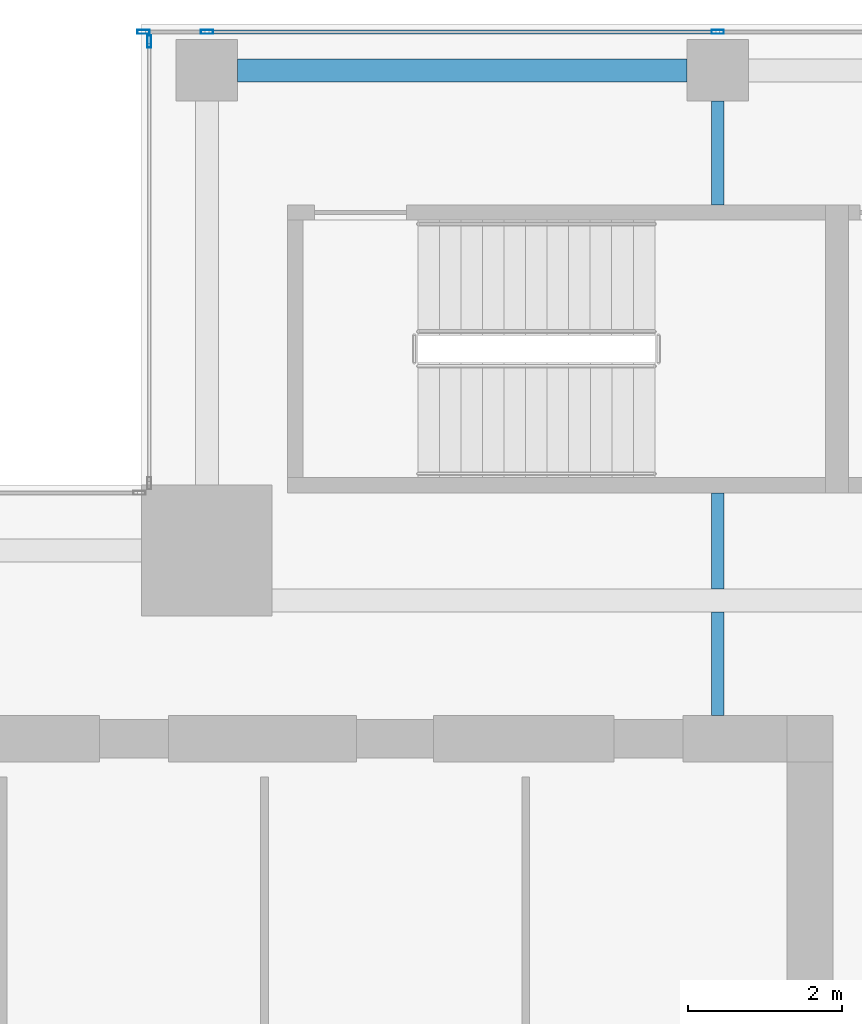
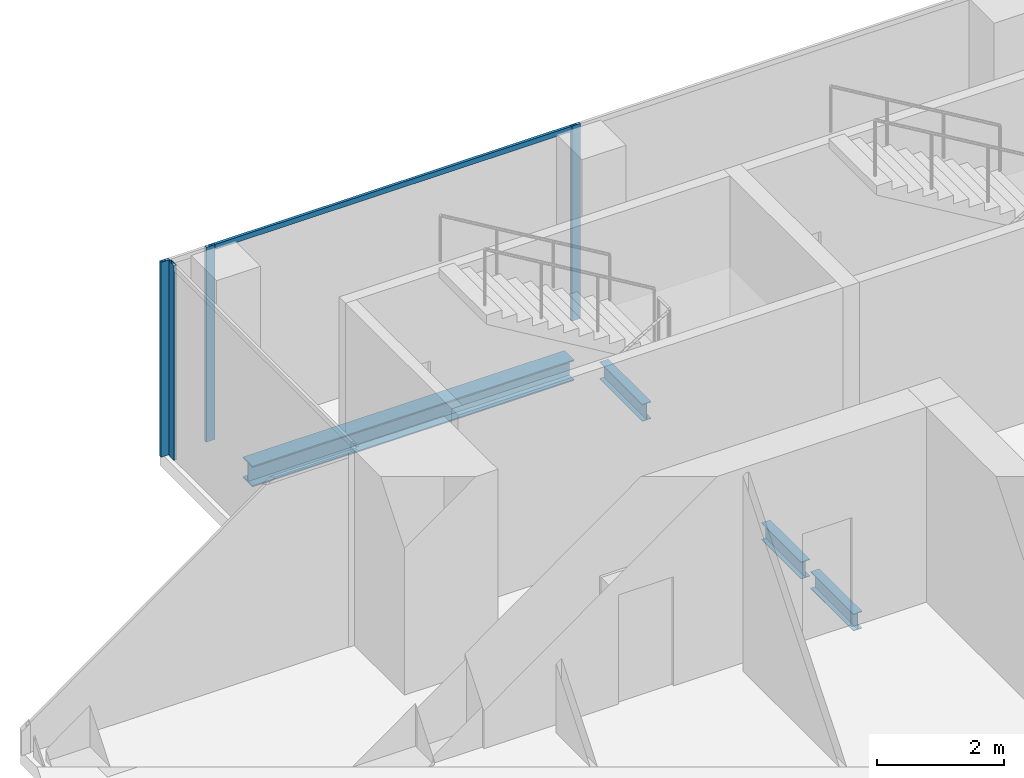
# One storey, part 15 of 29: 5 members, 4 beams, 2 elements without a shape of their own.
"""IFC4 building model written with IfcOpenShell, lengths in metres."""

from ifc_helpers import new_model, si_unit, direction, frame, origin, origin_2d, place, context, subcontext, project, spatial, hollow_rectangle, i_section, extrude, source, transform, mapped, material, material_profile, profile_set, type_object, element, aggregate, save


model = new_model("IFC4")

# Units and contexts
model_context = context("Model", 3, precision=1e-05, world=origin(), true_north=direction((0.0, 1.0)))
body_context = subcontext(model_context, "Body", "Model", "MODEL_VIEW")
ifc_project = project(units=[si_unit("LENGTHUNIT", "METRE"), si_unit("AREAUNIT", "SQUARE_METRE"), si_unit("VOLUMEUNIT", "CUBIC_METRE"), si_unit("PLANEANGLEUNIT", "RADIAN"), si_unit("MASSUNIT", "GRAM", prefix="KILO")], contexts=[model_context])

# Site, building, storey
site_placement = place(None, origin())
site = spatial("IfcSite", under=ifc_project, at=site_placement, CompositionType="ELEMENT")
building_placement = place(site_placement, origin())
building = spatial("IfcBuilding", under=site, at=building_placement, Name="Khomas Fold Tower", CompositionType="ELEMENT")
storey_placement = place(building_placement, frame((0.0, 0.0, 322.199951171875)))
storey = spatial("IfcBuildingStorey", under=building, at=storey_placement, Name="L73", CompositionType="ELEMENT", Elevation=322.199951171875)

# Beams
ifc_material_1 = material(Name="Steel S355", Category="steel")
ifc_material_profile_1 = material_profile(ifc_material_1, i_section(OverallWidth=0.159912109375, OverallDepth=0.330078125, WebThickness=0.007568359375, FlangeThickness=0.011474609375, at=origin_2d()), Name="IPE 330")
ifc_profile_set_1 = profile_set([ifc_material_profile_1], Name="Steel S355")
beam_type_1 = type_object("IfcBeamType", Name="IPE 330 beam JB1", PredefinedType="BEAM", material=ifc_profile_set_1)
shared_shape_1 = source(origin(), body_context, "Body", "SweptSolid", [
    extrude(i_section(OverallWidth=0.159912109375, OverallDepth=0.330078125, WebThickness=0.007568359375, FlangeThickness=0.011474609375, at=origin_2d()), origin(), (0.0, 0.0, 1.0), 1.25),
])
beam_1_placement = place(storey_placement, frame((19.5, 40.64990234375, -0.4150390625), z_axis=(0.0, 1.0, 0.0), x_axis=(-1.0, 0.0, 0.0)))
element("IfcBeam", 1, at=beam_1_placement, inside=storey, type_object=beam_type_1, Name="JB1", PredefinedType="BEAM", context=body_context, shape_type="MappedRepresentation", body=[
    mapped(shared_shape_1, transform((0.0, 0.0, 0.0))),
])
shared_shape_2 = source(origin(), body_context, "Body", "SweptSolid", [
    extrude(i_section(OverallWidth=0.159912109375, OverallDepth=0.330078125, WebThickness=0.007568359375, FlangeThickness=0.011474609375, at=origin_2d()), origin(), (0.0, 0.0, 1.0), 1.35009765625),
])
for number, where, z_axis, x_axis, name in (
    (2, (19.5, 39.0, -0.4150390625), (0.0, 1.0, 0.0), (-1.0, 0.0, 0.0), "JB1"),
    (3, (19.5, 45.64990234375, -0.4150390625), (0.0, 1.0, 0.0), (-1.0, 0.0, 0.0), "JB1"),
):
    element("IfcBeam", number, at=place(storey_placement, frame(where, z_axis=z_axis, x_axis=x_axis)), inside=storey, type_object=beam_type_1, Name=name, PredefinedType="BEAM", context=body_context, shape_type="MappedRepresentation", body=[
        mapped(shared_shape_2, transform((0.0, 0.0, 0.0))),
    ])
ifc_material_2 = material(Name="Steel S355", Category="steel")
ifc_material_profile_2 = material_profile(ifc_material_2, i_section(OverallWidth=0.300048828125, OverallDepth=0.39990234375, WebThickness=0.013427734375, FlangeThickness=0.02392578125, at=origin_2d()), Name="HE 400 B")
ifc_profile_set_2 = profile_set([ifc_material_profile_2], Name="Steel S355")
beam_type_2 = type_object("IfcBeamType", Name="HE 400 B spandrel SB5", PredefinedType="SPANDREL", material=ifc_profile_set_2)
shared_shape_3 = source(origin(), body_context, "Body", "SweptSolid", [
    extrude(i_section(OverallWidth=0.300048828125, OverallDepth=0.39990234375, WebThickness=0.013427734375, FlangeThickness=0.02392578125, at=origin_2d()), origin(), (0.0, 0.0, 1.0), 5.85009765625),
])
beam_2_placement = place(storey_placement, frame((13.25, 47.39990234375, -0.449951171875), z_axis=(1.0, 0.0, 0.0), x_axis=(0.0, 1.0, 0.0)))
element("IfcBeam", 4, at=beam_2_placement, inside=storey, type_object=beam_type_2, Name="SB5", PredefinedType="SPANDREL", context=body_context, shape_type="MappedRepresentation", body=[
    mapped(shared_shape_3, transform((0.0, 0.0, 0.0))),
])

# Curtain wall, members
ifc_material_3 = material(Name="Aluminium framed double glazing", Category="aluminium")
curtain_wall_type = type_object("IfcCurtainWallType", Name="SK-Unitised clear-glass wall, upper floors CW3", PredefinedType="NOTDEFINED", material=ifc_material_3)
curtain_wall_1_placement = place(storey_placement, origin())
curtain_wall_1 = element("IfcCurtainWall", 5, at=curtain_wall_1_placement, inside=storey, type_object=curtain_wall_type, Name="CW3 run L73 06-1", PredefinedType="NOTDEFINED")
ifc_material_4 = material(Name="Aluminium", Category="aluminium")
ifc_material_profile_3 = material_profile(ifc_material_4, hollow_rectangle(XDim=0.050048828125, YDim=0.159912109375, WallThickness=0.00390625, at=origin_2d()), Name="SK-Unitised clear-glass wall, upper floors mullion CW3-M")
ifc_profile_set_3 = profile_set([ifc_material_profile_3], Name="Aluminium")
member_type_1 = type_object("IfcMemberType", Name="SK-Unitised clear-glass wall, upper floors mullion CW3-M", PredefinedType="MULLION", material=ifc_profile_set_3)
shared_shape_4 = source(origin(), body_context, "Body", "SweptSolid", [
    extrude(hollow_rectangle(XDim=0.050048828125, YDim=0.159912109375, WallThickness=0.00390625, at=origin_2d()), origin(), (0.0, 0.0, 1.0), 3.75),
])
member_1_placement = place(storey_placement, frame((19.5, 47.89990234375, 0.0), z_axis=(0.0, 0.0, 1.0), x_axis=(0.0, -1.0, 0.0)))
member_1 = element("IfcMember", 6, at=member_1_placement, type_object=member_type_1, Name="CW3 mullion 4", PredefinedType="MULLION", context=body_context, shape_type="MappedRepresentation", body=[
    mapped(shared_shape_4, transform((0.0, 0.0, 0.0))),
])
member_2_placement = place(storey_placement, frame((12.85009765625, 47.89990234375, 0.0), z_axis=(0.0, 0.0, 1.0), x_axis=(0.0, -1.0, 0.0)))
member_2 = element("IfcMember", 7, at=member_2_placement, type_object=member_type_1, Name="CW3 mullion 5", PredefinedType="MULLION", context=body_context, shape_type="MappedRepresentation", body=[
    mapped(shared_shape_4, transform((0.0, 0.0, 0.0))),
])
member_3_placement = place(storey_placement, frame((12.02490234375, 47.89990234375, 0.0), z_axis=(0.0, 0.0, 1.0), x_axis=(0.0, -1.0, 0.0)))
member_3 = element("IfcMember", 8, at=member_3_placement, type_object=member_type_1, Name="CW3 mullion 6", PredefinedType="MULLION", context=body_context, shape_type="MappedRepresentation", body=[
    mapped(shared_shape_4, transform((0.0, 0.0, 0.0))),
])

# Curtain wall, member
curtain_wall_2_placement = place(storey_placement, origin())
curtain_wall_2 = element("IfcCurtainWall", 9, at=curtain_wall_2_placement, inside=storey, type_object=curtain_wall_type, Name="CW3 corner return L73 07", PredefinedType="NOTDEFINED")
member_4_placement = place(storey_placement, frame((12.10009765625, 47.77490234375, 0.0), z_axis=(0.0, 0.0, 1.0), x_axis=(1.0, 0.0, 0.0)))
member_4 = element("IfcMember", 10, at=member_4_placement, type_object=member_type_1, Name="CW3 mullion 1", PredefinedType="MULLION", context=body_context, shape_type="MappedRepresentation", body=[
    mapped(shared_shape_4, transform((0.0, 0.0, 0.0))),
])
aggregate(curtain_wall_2, [member_4])

# Member
ifc_material_5 = material(Name="Aluminium", Category="aluminium")
ifc_material_profile_4 = material_profile(ifc_material_5, hollow_rectangle(XDim=0.050048828125, YDim=0.10009765625, WallThickness=0.00390625, at=origin_2d()), Name="SK-Unitised clear-glass wall, upper floors transom CW3-T")
ifc_profile_set_4 = profile_set([ifc_material_profile_4], Name="Aluminium")
member_type_2 = type_object("IfcMemberType", Name="SK-Unitised clear-glass wall, upper floors transom CW3-T", PredefinedType="USERDEFINED", material=ifc_profile_set_4)
shared_shape_5 = source(origin(), body_context, "Body", "SweptSolid", [
    extrude(hollow_rectangle(XDim=0.050048828125, YDim=0.10009765625, WallThickness=0.00390625, at=origin_2d()), origin(), (0.0, 0.0, 1.0), 6.60009765625),
])
member_5_placement = place(storey_placement, frame((19.47509765625, 47.89990234375, 3.699951171875), z_axis=(-1.0, 0.0, 0.0), x_axis=(0.0, -1.0, 0.0)))
member_5 = element("IfcMember", 11, at=member_5_placement, type_object=member_type_2, Name="CW3 transom 4", ObjectType="TRANSOM", PredefinedType="USERDEFINED", context=body_context, shape_type="MappedRepresentation", body=[
    mapped(shared_shape_5, transform((0.0, 0.0, 0.0))),
])

aggregate(curtain_wall_1, [member_1, member_2, member_3, member_5])

save(model, "model.ifc")
